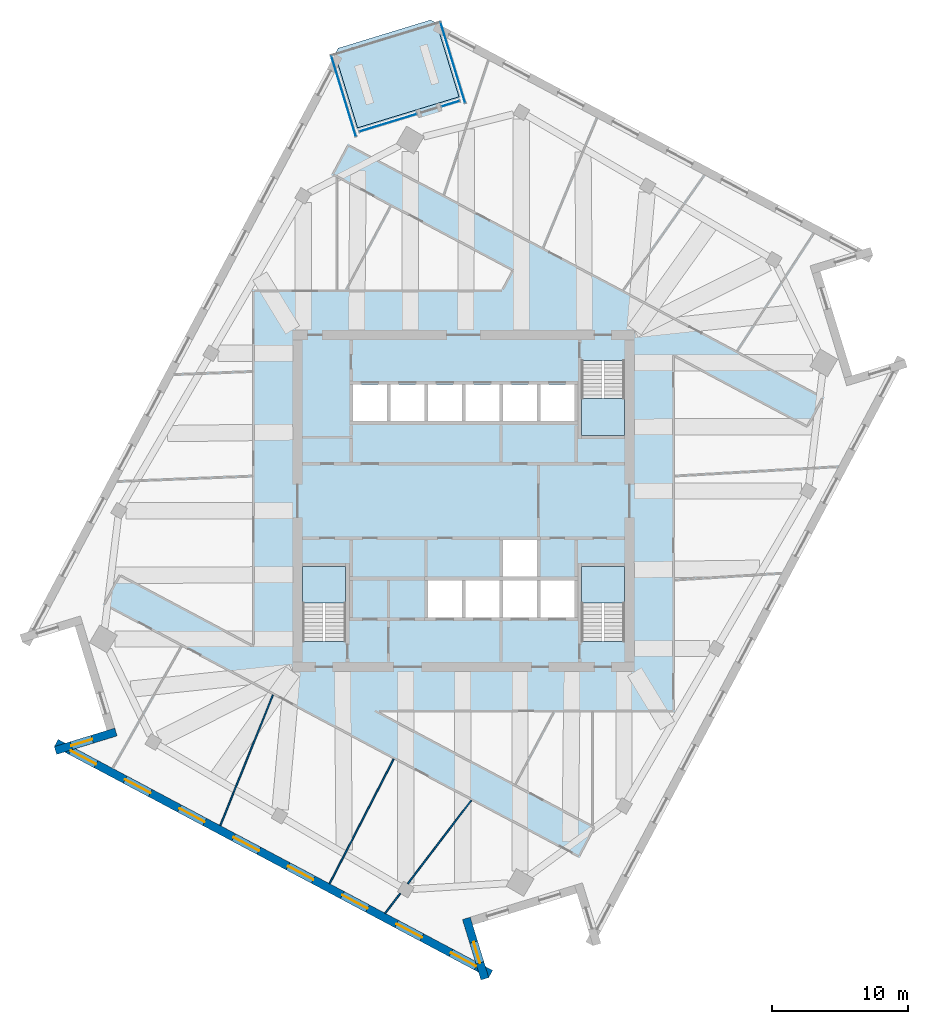
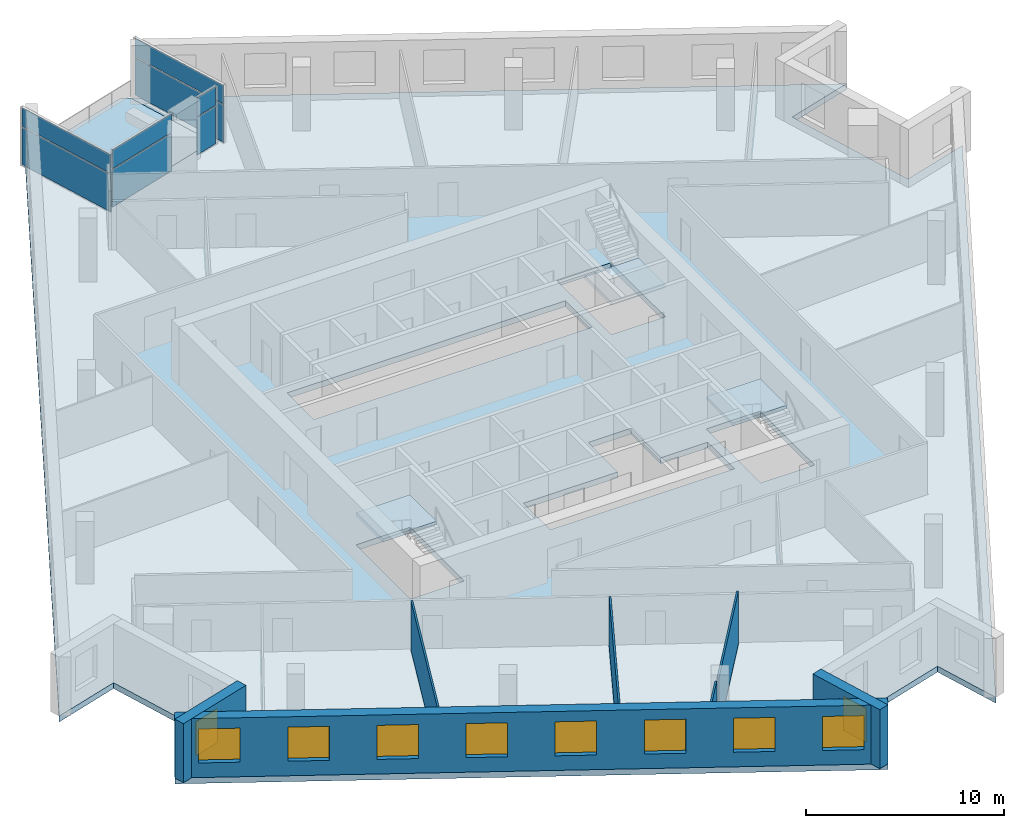
# One storey, part 5 of 13: 10 windows, 8 plates, 7 walls, 5 slabs, 10 openings, 7 elements without a shape of their own.
"""IFC4 building model written with IfcOpenShell, lengths in metres."""

from ifc_helpers import new_model, si_unit, direction, frame, frame_2d, origin, origin_2d, place, context, subcontext, project, spatial, polyline, rectangle, outline, extrude, material, layer, layer_set, type_object, element, fill, aggregate, save


model = new_model("IFC4")

# Units and contexts
model_context = context("Model", 3, precision=1e-05, world=origin(), true_north=direction((0.0, 1.0)))
body_context = subcontext(model_context, "Body", "Model", "MODEL_VIEW")
ifc_project = project(units=[si_unit("LENGTHUNIT", "METRE"), si_unit("AREAUNIT", "SQUARE_METRE"), si_unit("VOLUMEUNIT", "CUBIC_METRE"), si_unit("PLANEANGLEUNIT", "RADIAN"), si_unit("MASSUNIT", "GRAM", prefix="KILO")], contexts=[model_context])

# Site, building, storey
site_placement = place(None, origin())
site = spatial("IfcSite", under=ifc_project, at=site_placement, CompositionType="ELEMENT")
building_placement = place(site_placement, origin())
building = spatial("IfcBuilding", under=site, at=building_placement, Name="Dilmun Exchange Tower", CompositionType="ELEMENT")
storey_placement = place(building_placement, frame((0.0, 0.0, 278.89990234375)))
storey = spatial("IfcBuildingStorey", under=building, at=storey_placement, Name="L66", CompositionType="ELEMENT", Elevation=278.89990234375)

# Stair, slab
ifc_material_1 = material(Name="Concrete C40/50", Category="concrete")
stair_type = type_object("IfcStairType", Name="Exit stair 1500 half-turn", PredefinedType="HALF_TURN_STAIR", material=ifc_material_1)
stair_1_placement = place(storey_placement, origin())
stair_1 = element("IfcStair", 1, at=stair_1_placement, inside=storey, type_object=stair_type, Name="L66 Protected exit stair ST1", PredefinedType="HALF_TURN_STAIR")
ifc_layer_1 = layer(ifc_material_1, 0.199951171875)
ifc_layer_set_1 = layer_set([ifc_layer_1], Name="Concrete C40/50")
slab_type_1 = type_object("IfcSlabType", Name="Exit stair landing 200", PredefinedType="LANDING", material=ifc_layer_set_1)
slab_1_placement = place(storey_placement, frame((0.0, 0.0, 1.800048828125)))
slab_1 = element("IfcSlab", 2, at=slab_1_placement, type_object=slab_type_1, Name="ST1 landing 1", PredefinedType="LANDING", context=body_context, shape_type="SweptSolid", body=[
    extrude(outline(polyline([(8.64990234375, 7.5), (8.64990234375, 4.800048828125), (11.800048828125, 4.800048828125), (11.800048828125, 7.5), (8.64990234375, 7.5)])), origin(), (0.0, 0.0, 1.0), 0.199951171875),
])
aggregate(stair_1, [slab_1])

stair_2_placement = place(storey_placement, origin())
stair_2 = element("IfcStair", 3, at=stair_2_placement, inside=storey, type_object=stair_type, Name="L66 Protected exit stair ST2", PredefinedType="HALF_TURN_STAIR")
slab_2_placement = place(storey_placement, frame((0.0, 0.0, 1.800048828125)))
slab_2 = element("IfcSlab", 4, at=slab_2_placement, type_object=slab_type_1, Name="ST2 landing 1", PredefinedType="LANDING", context=body_context, shape_type="SweptSolid", body=[
    extrude(outline(polyline([(-8.64990234375, -7.5), (-8.64990234375, -4.800048828125), (-11.800048828125, -4.800048828125), (-11.800048828125, -7.5), (-8.64990234375, -7.5)])), origin(), (0.0, 0.0, 1.0), 0.199951171875),
])
aggregate(stair_2, [slab_2])

stair_3_placement = place(storey_placement, origin())
stair_3 = element("IfcStair", 5, at=stair_3_placement, inside=storey, type_object=stair_type, Name="L66 Protected exit stair ST3", PredefinedType="HALF_TURN_STAIR")
slab_3_placement = place(storey_placement, frame((0.0, 0.0, 1.800048828125)))
slab_3 = element("IfcSlab", 6, at=slab_3_placement, type_object=slab_type_1, Name="ST3 landing 1", PredefinedType="LANDING", context=body_context, shape_type="SweptSolid", body=[
    extrude(outline(polyline([(11.800048828125, -7.5), (11.800048828125, -4.800048828125), (8.64990234375, -4.800048828125), (8.64990234375, -7.5), (11.800048828125, -7.5)])), origin(), (0.0, 0.0, 1.0), 0.199951171875),
])
aggregate(stair_3, [slab_3])

# Curtain wall, plates
ifc_material_2 = material(Name="Anodised aluminium and clear glass", Category="aluminium")
curtain_wall_type = type_object("IfcCurtainWallType", Name="Garden corner glazing", PredefinedType="NOTDEFINED", material=ifc_material_2)
curtain_wall_1_placement = place(storey_placement, origin())
curtain_wall_1 = element("IfcCurtainWall", 7, at=curtain_wall_1_placement, inside=storey, type_object=curtain_wall_type, Name="Garden corner glazing run GC1.1", PredefinedType="NOTDEFINED")
ifc_material_3 = material(Name="Clear glass", Category="glass")
ifc_layer_2 = layer(ifc_material_3, 0.028076171875)
ifc_layer_set_2 = layer_set([ifc_layer_2], Name="Clear glass")
plate_type = type_object("IfcPlateType", Name="Garden corner glazing glass panel 28", PredefinedType="CURTAIN_PANEL", material=ifc_layer_set_2)
plate_1_placement = place(storey_placement, frame((-0.785400390625, 32.1337890625, 0.06005859375), z_axis=(0.0, 0.0, 1.0), x_axis=(0.292374306997, -0.956303960364, 0.0)))
plate_1 = element("IfcPlate", 8, at=plate_1_placement, type_object=plate_type, Name="GC1.1 panel 1.1", PredefinedType="CURTAIN_PANEL", context=body_context, shape_type="SweptSolid", body=[
    extrude(rectangle(XDim=6.12646484375, YDim=0.028076171875, at=origin_2d()), origin(), (0.0, 0.0, 1.0), 2.31005859375),
])
plate_2_placement = place(storey_placement, frame((-0.785400390625, 32.1337890625, 2.43017578125), z_axis=(0.0, 0.0, 1.0), x_axis=(0.292374306997, -0.956303960364, 0.0)))
plate_2 = element("IfcPlate", 9, at=plate_2_placement, type_object=plate_type, Name="GC1.1 panel 1.2", PredefinedType="CURTAIN_PANEL", context=body_context, shape_type="SweptSolid", body=[
    extrude(rectangle(XDim=6.12646484375, YDim=0.028076171875, at=origin_2d()), origin(), (0.0, 0.0, 1.0), 1.14990234375),
])
aggregate(curtain_wall_1, [plate_1, plate_2])

curtain_wall_2_placement = place(storey_placement, origin())
curtain_wall_2 = element("IfcCurtainWall", 10, at=curtain_wall_2_placement, inside=storey, type_object=curtain_wall_type, Name="Garden corner glazing run GC2.1", PredefinedType="NOTDEFINED")
plate_3_placement = place(storey_placement, frame((-0.958984375, 29.12841796875, 0.06005859375), z_axis=(0.0, 0.0, 1.0), x_axis=(-0.956297337133, -0.29239596952, 0.0)))
plate_3 = element("IfcPlate", 11, at=plate_3_placement, type_object=plate_type, Name="GC2.1 panel 1.1", PredefinedType="CURTAIN_PANEL", context=body_context, shape_type="SweptSolid", body=[
    extrude(rectangle(XDim=1.369140625, YDim=0.028076171875, at=origin_2d()), origin(), (0.0, 0.0, 1.0), 2.31005859375),
])
plate_4_placement = place(storey_placement, frame((-0.958984375, 29.12841796875, 2.43017578125), z_axis=(0.0, 0.0, 1.0), x_axis=(-0.956297337133, -0.29239596952, 0.0)))
plate_4 = element("IfcPlate", 12, at=plate_4_placement, type_object=plate_type, Name="GC2.1 panel 1.2", PredefinedType="CURTAIN_PANEL", context=body_context, shape_type="SweptSolid", body=[
    extrude(rectangle(XDim=1.369140625, YDim=0.028076171875, at=origin_2d()), origin(), (0.0, 0.0, 1.0), 1.14990234375),
])
aggregate(curtain_wall_2, [plate_3, plate_4])

curtain_wall_3_placement = place(storey_placement, origin())
curtain_wall_3 = element("IfcCurtainWall", 13, at=curtain_wall_3_placement, inside=storey, type_object=curtain_wall_type, Name="Garden corner glazing run GC2.3", PredefinedType="NOTDEFINED")
plate_5_placement = place(storey_placement, frame((-5.538818359375, 27.728271484375, 0.06005859375), z_axis=(0.0, 0.0, 1.0), x_axis=(-0.956302964809, -0.292377563258, 0.0)))
plate_5 = element("IfcPlate", 14, at=plate_5_placement, type_object=plate_type, Name="GC2.3 panel 1.1", PredefinedType="CURTAIN_PANEL", context=body_context, shape_type="SweptSolid", body=[
    extrude(rectangle(XDim=4.369140625, YDim=0.028076171875, at=origin_2d()), origin(), (0.0, 0.0, 1.0), 2.31005859375),
])
plate_6_placement = place(storey_placement, frame((-5.538818359375, 27.728271484375, 2.43017578125), z_axis=(0.0, 0.0, 1.0), x_axis=(-0.956302964809, -0.292377563258, 0.0)))
plate_6 = element("IfcPlate", 15, at=plate_6_placement, type_object=plate_type, Name="GC2.3 panel 1.2", PredefinedType="CURTAIN_PANEL", context=body_context, shape_type="SweptSolid", body=[
    extrude(rectangle(XDim=4.369140625, YDim=0.028076171875, at=origin_2d()), origin(), (0.0, 0.0, 1.0), 1.14990234375),
])
aggregate(curtain_wall_3, [plate_5, plate_6])

curtain_wall_4_placement = place(storey_placement, origin())
curtain_wall_4 = element("IfcCurtainWall", 16, at=curtain_wall_4_placement, inside=storey, type_object=curtain_wall_type, Name="Garden corner glazing run GC3.1", PredefinedType="NOTDEFINED")
plate_7_placement = place(storey_placement, frame((-8.797607421875, 29.684326171875, 0.06005859375), z_axis=(0.0, 0.0, 1.0), x_axis=(-0.292374306997, 0.956303960364, 0.0)))
plate_7 = element("IfcPlate", 17, at=plate_7_placement, type_object=plate_type, Name="GC3.1 panel 1.1", PredefinedType="CURTAIN_PANEL", context=body_context, shape_type="SweptSolid", body=[
    extrude(rectangle(XDim=6.12646484375, YDim=0.028076171875, at=origin_2d()), origin(), (0.0, 0.0, 1.0), 2.31005859375),
])
plate_8_placement = place(storey_placement, frame((-8.797607421875, 29.684326171875, 2.43017578125), z_axis=(0.0, 0.0, 1.0), x_axis=(-0.292374306997, 0.956303960364, 0.0)))
plate_8 = element("IfcPlate", 18, at=plate_8_placement, type_object=plate_type, Name="GC3.1 panel 1.2", PredefinedType="CURTAIN_PANEL", context=body_context, shape_type="SweptSolid", body=[
    extrude(rectangle(XDim=6.12646484375, YDim=0.028076171875, at=origin_2d()), origin(), (0.0, 0.0, 1.0), 1.14990234375),
])
aggregate(curtain_wall_4, [plate_7, plate_8])

# Slabs
ifc_layer_3 = layer(ifc_material_1, 0.360107421875)
ifc_layer_set_3 = layer_set([ifc_layer_3], Name="Concrete C40/50")
slab_type_2 = type_object("IfcSlabType", Name="RC floor slab 360", PredefinedType="FLOOR", material=ifc_layer_set_3)
slab_4_placement = place(storey_placement, frame((0.0, 0.0, -0.35986328125)))
element("IfcSlab", 19, at=slab_4_placement, inside=storey, type_object=slab_type_2, Name="Floor slab", PredefinedType="FLOOR", context=body_context, shape_type="SweptSolid", body=[
    extrude(outline(polyline([(26.156005859375, 16.837890625), (28.4951171875, 9.1875), (32.354248046875, 10.3671875), (9.497314453125, -32.6201171875), (8.317626953125, -28.760986328125), (0.6669921875, -31.10009765625), (1.846923828125, -34.959228515625), (-30.015380859375, -18.017578125), (-26.156005859375, -16.837890625), (-28.4951171875, -9.1875), (-32.354248046875, -10.3671875), (-9.423828125, 32.7587890625), (-7.77294921875, 27.35888671875), (-0.334716796875, 29.633056640625), (-1.985595703125, 35.03271484375), (30.015380859375, 18.017578125), (26.156005859375, 16.837890625)]), holes=[polyline([(-8.64990234375, -4.800048828125), (-11.800048828125, -4.800048828125), (-11.800048828125, -10.294921875), (-8.64990234375, -10.294921875), (-8.64990234375, -4.800048828125)]), polyline([(11.800048828125, -4.800048828125), (8.64990234375, -4.800048828125), (8.64990234375, -10.294921875), (11.800048828125, -10.294921875), (11.800048828125, -4.800048828125)]), polyline([(2.875, -5.85009765625), (-2.625, -5.85009765625), (-2.625, -8.550048828125), (8.125, -8.550048828125), (8.125, -5.85009765625), (5.375, -5.85009765625), (5.375, -2.85009765625), (2.875, -2.85009765625), (2.875, -5.85009765625)]), polyline([(8.125, 5.85009765625), (8.125, 8.550048828125), (-8.125, 8.550048828125), (-8.125, 5.85009765625), (8.125, 5.85009765625)]), polyline([(8.64990234375, 10.294921875), (8.64990234375, 4.800048828125), (11.800048828125, 4.800048828125), (11.800048828125, 10.294921875), (8.64990234375, 10.294921875)])]), origin(), (0.0, 0.0, 1.0), 0.35986328125),
])
ifc_layer_4 = layer(ifc_material_1, 0.300048828125)
ifc_layer_set_4 = layer_set([ifc_layer_4], Name="Concrete C40/50")
slab_type_3 = type_object("IfcSlabType", Name="RC garden terrace slab 300", PredefinedType="FLOOR", material=ifc_layer_set_4)
slab_5_placement = place(storey_placement, frame((0.0, 0.0, -0.2998046875)))
element("IfcSlab", 20, at=slab_5_placement, inside=storey, type_object=slab_type_3, Name="Garden terrace slab", PredefinedType="FLOOR", context=body_context, shape_type="SweptSolid", body=[
    extrude(outline(polyline([(-7.77294921875, 27.35888671875), (-9.423828125, 32.7587890625), (-9.189208984375, 33.2001953125), (-2.427001953125, 35.267578125), (-1.985595703125, 35.03271484375), (-0.334716796875, 29.633056640625), (-7.77294921875, 27.35888671875)])), origin(), (0.0, 0.0, 1.0), 0.2998046875),
])

# Walls
ifc_material_4 = material(Name="Partition 100")
ifc_layer_5 = layer(ifc_material_4, 0.10009765625)
ifc_layer_set_5 = layer_set([ifc_layer_5], Name="Partition 100")
wall_type_1 = type_object("IfcWallType", Name="Partition 100", PredefinedType="PARTITIONING", material=ifc_layer_set_5)
wall_1_placement = place(storey_placement, frame((-17.840087890625, -23.8095703125, 0.0), z_axis=(0.0, 0.0, 1.0), x_axis=(0.373322071297, 0.927701800732, 0.0)))
element("IfcWall", 21, at=wall_1_placement, inside=storey, type_object=wall_type_1, Name="Partition", PredefinedType="PARTITIONING", context=body_context, shape_type="SweptSolid", body=[
    extrude(rectangle(XDim=10.326171875, YDim=0.10009765625, at=frame_2d((5.1630859375, 0.0))), origin(), (0.0, 0.0, 1.0), 3.0400390625),
])
wall_2_placement = place(storey_placement, frame((-9.82568359375, -28.07080078125, 0.0), z_axis=(0.0, 0.0, 1.0), x_axis=(0.457289483917, 0.889317900359, 0.0)))
element("IfcWall", 22, at=wall_2_placement, inside=storey, type_object=wall_type_1, Name="Partition", PredefinedType="PARTITIONING", context=body_context, shape_type="SweptSolid", body=[
    extrude(rectangle(XDim=10.273681640625, YDim=0.10009765625, at=frame_2d((5.13671875, 0.0))), origin(), (0.0, 0.0, 1.0), 3.0400390625),
])
wall_3_placement = place(storey_placement, frame((-5.75, -30.238037109375, 0.0), z_axis=(0.0, 0.0, 1.0), x_axis=(0.60662872898, 0.794985273559, 0.0)))
element("IfcWall", 23, at=wall_3_placement, inside=storey, type_object=wall_type_1, Name="Partition", PredefinedType="PARTITIONING", context=body_context, shape_type="SweptSolid", body=[
    extrude(rectangle(XDim=1.821044921875, YDim=0.10009765625, at=frame_2d((0.91064453125, 0.0))), origin(), (0.0, 0.0, 1.0), 3.64013671875),
])
wall_4_placement = place(storey_placement, frame((-4.09521484375, -28.069580078125, 0.0), z_axis=(0.0, 0.0, 1.0), x_axis=(0.606675434914, 0.794949631532, 0.0)))
element("IfcWall", 24, at=wall_4_placement, inside=storey, type_object=wall_type_1, Name="Partition", PredefinedType="PARTITIONING", context=body_context, shape_type="SweptSolid", body=[
    extrude(rectangle(XDim=7.6767578125, YDim=0.10009765625, at=frame_2d((3.83837890625, 0.0))), origin(), (0.0, 0.0, 1.0), 3.239990234375),
])

# Wall, opening, window
ifc_material_5 = material(Name="Precast concrete C50/60", Category="concrete")
ifc_layer_6 = layer(ifc_material_5, 0.60009765625)
ifc_layer_set_6 = layer_set([ifc_layer_6], Name="Precast concrete C50/60")
wall_type_2 = type_object("IfcWallType", Name="Precast stone-clad wall 600", PredefinedType="STANDARD", material=ifc_layer_set_6)
wall_5_placement = place(storey_placement, frame((-25.49462890625, -16.94921875, 0.0), z_axis=(0.0, 0.0, 1.0), x_axis=(-0.956292267386, -0.292412549899, 0.0)))
wall_5 = element("IfcWall", 25, at=wall_5_placement, inside=storey, type_object=wall_type_2, Name="Facade wall L66-06", PredefinedType="STANDARD", context=body_context, shape_type="SweptSolid", body=[
    extrude(rectangle(XDim=4.635498046875, YDim=0.60009765625, at=frame_2d((2.31787109375, 0.0))), origin(), (0.0, 0.0, 1.0), 3.64013671875),
])
opening_1_placement = place(wall_5_placement, frame((1.81787109375, 0.0, 0.89990234375)))
opening_1 = element("IfcOpeningElement", 26, at=opening_1_placement, cuts=wall_5, Name="Opening W160-210", PredefinedType="OPENING", context=body_context, shape_type="SweptSolid", body=[
    extrude(rectangle(XDim=1.60009765625, YDim=2.10009765625, at=frame_2d((0.800048828125, 1.050048828125))), frame((0.0, 0.31005859375, 0.0), z_axis=(0.0, -1.0, 0.0), x_axis=(1.0, 0.0, 0.0)), (0.0, 0.0, 1.0), 0.6201171875),
])
ifc_material_6 = material(Name="Clear low-emissivity glass in aluminium frame", Category="aluminium")
window_type_1 = type_object("IfcWindowType", Name="Punched window 1600 x 2100", PartitioningType="DOUBLE_PANEL_VERTICAL", PredefinedType="WINDOW", material=ifc_material_6)
window_1_placement = place(opening_1_placement, origin())
window_1 = element("IfcWindow", 27, at=window_1_placement, inside=storey, type_object=window_type_1, Name="Window 7.1", OverallHeight=2.10009765625, OverallWidth=1.60009765625, PartitioningType="SINGLE_PANEL", PredefinedType="WINDOW", context=body_context, shape_type="SweptSolid", body=[
    extrude(rectangle(XDim=1.60009765625, YDim=2.10009765625, at=frame_2d((0.800048828125, 1.050048828125))), frame((0.0, 0.030029296875, 0.0), z_axis=(0.0, -1.0, 0.0), x_axis=(1.0, 0.0, 0.0)), (0.0, 0.0, 1.0), 0.06005859375),
])
fill(opening_1, window_1)

# Wall, openings, windows
wall_6_placement = place(storey_placement, frame((-29.87451171875, -17.752685546875, 0.0), z_axis=(0.0, 0.0, 1.0), x_axis=(0.882945726539, -0.469475072806, 0.0)))
wall_6 = element("IfcWall", 28, at=wall_6_placement, inside=storey, type_object=wall_type_2, Name="Facade wall L66-07", PredefinedType="STANDARD", context=body_context, shape_type="SweptSolid", body=[
    extrude(rectangle(XDim=36.08642578125, YDim=0.60009765625, at=frame_2d((18.043212890625, 0.0))), origin(), (0.0, 0.0, 1.0), 3.64013671875),
])
opening_2_placement = place(wall_6_placement, frame((1.205322265625, 0.0, 0.89990234375)))
opening_2 = element("IfcOpeningElement", 29, at=opening_2_placement, cuts=wall_6, Name="Opening W210-210", PredefinedType="OPENING", context=body_context, shape_type="SweptSolid", body=[
    extrude(rectangle(XDim=2.10009765625, YDim=2.10009765625, at=frame_2d((1.050048828125, 1.050048828125))), frame((0.0, 0.31005859375, 0.0), z_axis=(0.0, -1.0, 0.0), x_axis=(1.0, 0.0, 0.0)), (0.0, 0.0, 1.0), 0.6201171875),
])
opening_3_placement = place(wall_6_placement, frame((5.71630859375, 0.0, 0.89990234375)))
opening_3 = element("IfcOpeningElement", 30, at=opening_3_placement, cuts=wall_6, Name="Opening W210-210", PredefinedType="OPENING", context=body_context, shape_type="SweptSolid", body=[
    extrude(rectangle(XDim=2.10009765625, YDim=2.10009765625, at=frame_2d((1.050048828125, 1.050048828125))), frame((0.0, 0.31005859375, 0.0), z_axis=(0.0, -1.0, 0.0), x_axis=(1.0, 0.0, 0.0)), (0.0, 0.0, 1.0), 0.6201171875),
])
opening_4_placement = place(wall_6_placement, frame((10.22705078125, 0.0, 0.89990234375)))
opening_4 = element("IfcOpeningElement", 31, at=opening_4_placement, cuts=wall_6, Name="Opening W210-210", PredefinedType="OPENING", context=body_context, shape_type="SweptSolid", body=[
    extrude(rectangle(XDim=2.10009765625, YDim=2.10009765625, at=frame_2d((1.050048828125, 1.050048828125))), frame((0.0, 0.31005859375, 0.0), z_axis=(0.0, -1.0, 0.0), x_axis=(1.0, 0.0, 0.0)), (0.0, 0.0, 1.0), 0.6201171875),
])
opening_5_placement = place(wall_6_placement, frame((14.73779296875, 0.0, 0.89990234375)))
opening_5 = element("IfcOpeningElement", 32, at=opening_5_placement, cuts=wall_6, Name="Opening W210-210", PredefinedType="OPENING", context=body_context, shape_type="SweptSolid", body=[
    extrude(rectangle(XDim=2.10009765625, YDim=2.10009765625, at=frame_2d((1.050048828125, 1.050048828125))), frame((0.0, 0.31005859375, 0.0), z_axis=(0.0, -1.0, 0.0), x_axis=(1.0, 0.0, 0.0)), (0.0, 0.0, 1.0), 0.6201171875),
])
opening_6_placement = place(wall_6_placement, frame((19.24853515625, 0.0, 0.89990234375)))
opening_6 = element("IfcOpeningElement", 33, at=opening_6_placement, cuts=wall_6, Name="Opening W210-210", PredefinedType="OPENING", context=body_context, shape_type="SweptSolid", body=[
    extrude(rectangle(XDim=2.10009765625, YDim=2.10009765625, at=frame_2d((1.050048828125, 1.050048828125))), frame((0.0, 0.31005859375, 0.0), z_axis=(0.0, -1.0, 0.0), x_axis=(1.0, 0.0, 0.0)), (0.0, 0.0, 1.0), 0.6201171875),
])
opening_7_placement = place(wall_6_placement, frame((23.75927734375, 0.0, 0.89990234375)))
opening_7 = element("IfcOpeningElement", 34, at=opening_7_placement, cuts=wall_6, Name="Opening W210-210", PredefinedType="OPENING", context=body_context, shape_type="SweptSolid", body=[
    extrude(rectangle(XDim=2.10009765625, YDim=2.10009765625, at=frame_2d((1.050048828125, 1.050048828125))), frame((0.0, 0.31005859375, 0.0), z_axis=(0.0, -1.0, 0.0), x_axis=(1.0, 0.0, 0.0)), (0.0, 0.0, 1.0), 0.6201171875),
])
opening_8_placement = place(wall_6_placement, frame((28.27001953125, 0.0, 0.89990234375)))
opening_8 = element("IfcOpeningElement", 35, at=opening_8_placement, cuts=wall_6, Name="Opening W210-210", PredefinedType="OPENING", context=body_context, shape_type="SweptSolid", body=[
    extrude(rectangle(XDim=2.10009765625, YDim=2.10009765625, at=frame_2d((1.050048828125, 1.050048828125))), frame((0.0, 0.31005859375, 0.0), z_axis=(0.0, -1.0, 0.0), x_axis=(1.0, 0.0, 0.0)), (0.0, 0.0, 1.0), 0.6201171875),
])
opening_9_placement = place(wall_6_placement, frame((32.781005859375, 0.0, 0.89990234375)))
opening_9 = element("IfcOpeningElement", 36, at=opening_9_placement, cuts=wall_6, Name="Opening W210-210", PredefinedType="OPENING", context=body_context, shape_type="SweptSolid", body=[
    extrude(rectangle(XDim=2.10009765625, YDim=2.10009765625, at=frame_2d((1.050048828125, 1.050048828125))), frame((0.0, 0.31005859375, 0.0), z_axis=(0.0, -1.0, 0.0), x_axis=(1.0, 0.0, 0.0)), (0.0, 0.0, 1.0), 0.6201171875),
])
window_type_2 = type_object("IfcWindowType", Name="Punched window 2100 x 2100", PartitioningType="DOUBLE_PANEL_VERTICAL", PredefinedType="WINDOW", material=ifc_material_6)
window_2_placement = place(opening_2_placement, origin())
window_2 = element("IfcWindow", 37, at=window_2_placement, inside=storey, type_object=window_type_2, Name="Window 8.1", OverallHeight=2.10009765625, OverallWidth=2.10009765625, PartitioningType="SINGLE_PANEL", PredefinedType="WINDOW", context=body_context, shape_type="SweptSolid", body=[
    extrude(rectangle(XDim=2.10009765625, YDim=2.10009765625, at=frame_2d((1.050048828125, 1.050048828125))), frame((0.0, 0.030029296875, 0.0), z_axis=(0.0, -1.0, 0.0), x_axis=(1.0, 0.0, 0.0)), (0.0, 0.0, 1.0), 0.06005859375),
])
fill(opening_2, window_2)
window_3_placement = place(opening_3_placement, origin())
window_3 = element("IfcWindow", 38, at=window_3_placement, inside=storey, type_object=window_type_2, Name="Window 8.2", OverallHeight=2.10009765625, OverallWidth=2.10009765625, PartitioningType="SINGLE_PANEL", PredefinedType="WINDOW", context=body_context, shape_type="SweptSolid", body=[
    extrude(rectangle(XDim=2.10009765625, YDim=2.10009765625, at=frame_2d((1.050048828125, 1.050048828125))), frame((0.0, 0.030029296875, 0.0), z_axis=(0.0, -1.0, 0.0), x_axis=(1.0, 0.0, 0.0)), (0.0, 0.0, 1.0), 0.06005859375),
])
fill(opening_3, window_3)
window_4_placement = place(opening_4_placement, origin())
window_4 = element("IfcWindow", 39, at=window_4_placement, inside=storey, type_object=window_type_2, Name="Window 8.3", OverallHeight=2.10009765625, OverallWidth=2.10009765625, PartitioningType="SINGLE_PANEL", PredefinedType="WINDOW", context=body_context, shape_type="SweptSolid", body=[
    extrude(rectangle(XDim=2.10009765625, YDim=2.10009765625, at=frame_2d((1.050048828125, 1.050048828125))), frame((0.0, 0.030029296875, 0.0), z_axis=(0.0, -1.0, 0.0), x_axis=(1.0, 0.0, 0.0)), (0.0, 0.0, 1.0), 0.06005859375),
])
fill(opening_4, window_4)
window_5_placement = place(opening_5_placement, origin())
window_5 = element("IfcWindow", 40, at=window_5_placement, inside=storey, type_object=window_type_2, Name="Window 8.4", OverallHeight=2.10009765625, OverallWidth=2.10009765625, PartitioningType="SINGLE_PANEL", PredefinedType="WINDOW", context=body_context, shape_type="SweptSolid", body=[
    extrude(rectangle(XDim=2.10009765625, YDim=2.10009765625, at=frame_2d((1.050048828125, 1.050048828125))), frame((0.0, 0.030029296875, 0.0), z_axis=(0.0, -1.0, 0.0), x_axis=(1.0, 0.0, 0.0)), (0.0, 0.0, 1.0), 0.06005859375),
])
fill(opening_5, window_5)
window_6_placement = place(opening_6_placement, origin())
window_6 = element("IfcWindow", 41, at=window_6_placement, inside=storey, type_object=window_type_2, Name="Window 8.5", OverallHeight=2.10009765625, OverallWidth=2.10009765625, PartitioningType="SINGLE_PANEL", PredefinedType="WINDOW", context=body_context, shape_type="SweptSolid", body=[
    extrude(rectangle(XDim=2.10009765625, YDim=2.10009765625, at=frame_2d((1.050048828125, 1.050048828125))), frame((0.0, 0.030029296875, 0.0), z_axis=(0.0, -1.0, 0.0), x_axis=(1.0, 0.0, 0.0)), (0.0, 0.0, 1.0), 0.06005859375),
])
fill(opening_6, window_6)
window_7_placement = place(opening_7_placement, origin())
window_7 = element("IfcWindow", 42, at=window_7_placement, inside=storey, type_object=window_type_2, Name="Window 8.6", OverallHeight=2.10009765625, OverallWidth=2.10009765625, PartitioningType="SINGLE_PANEL", PredefinedType="WINDOW", context=body_context, shape_type="SweptSolid", body=[
    extrude(rectangle(XDim=2.10009765625, YDim=2.10009765625, at=frame_2d((1.050048828125, 1.050048828125))), frame((0.0, 0.030029296875, 0.0), z_axis=(0.0, -1.0, 0.0), x_axis=(1.0, 0.0, 0.0)), (0.0, 0.0, 1.0), 0.06005859375),
])
fill(opening_7, window_7)
window_8_placement = place(opening_8_placement, origin())
window_8 = element("IfcWindow", 43, at=window_8_placement, inside=storey, type_object=window_type_2, Name="Window 8.7", OverallHeight=2.10009765625, OverallWidth=2.10009765625, PartitioningType="SINGLE_PANEL", PredefinedType="WINDOW", context=body_context, shape_type="SweptSolid", body=[
    extrude(rectangle(XDim=2.10009765625, YDim=2.10009765625, at=frame_2d((1.050048828125, 1.050048828125))), frame((0.0, 0.030029296875, 0.0), z_axis=(0.0, -1.0, 0.0), x_axis=(1.0, 0.0, 0.0)), (0.0, 0.0, 1.0), 0.06005859375),
])
fill(opening_8, window_8)
window_9_placement = place(opening_9_placement, origin())
window_9 = element("IfcWindow", 44, at=window_9_placement, inside=storey, type_object=window_type_2, Name="Window 8.8", OverallHeight=2.10009765625, OverallWidth=2.10009765625, PartitioningType="SINGLE_PANEL", PredefinedType="WINDOW", context=body_context, shape_type="SweptSolid", body=[
    extrude(rectangle(XDim=2.10009765625, YDim=2.10009765625, at=frame_2d((1.050048828125, 1.050048828125))), frame((0.0, 0.030029296875, 0.0), z_axis=(0.0, -1.0, 0.0), x_axis=(1.0, 0.0, 0.0)), (0.0, 0.0, 1.0), 0.06005859375),
])
fill(opening_9, window_9)

# Wall, opening, window
wall_7_placement = place(storey_placement, frame((1.56005859375, -35.046875, 0.0), z_axis=(0.0, 0.0, 1.0), x_axis=(-0.2923643842, 0.956306994041, 0.0)))
wall_7 = element("IfcWall", 45, at=wall_7_placement, inside=storey, type_object=wall_type_2, Name="Facade wall L66-08", PredefinedType="STANDARD", context=body_context, shape_type="SweptSolid", body=[
    extrude(rectangle(XDim=4.635498046875, YDim=0.60009765625, at=frame_2d((2.31787109375, 0.0))), origin(), (0.0, 0.0, 1.0), 3.64013671875),
])
opening_10_placement = place(wall_7_placement, frame((1.2177734375, 0.0, 0.89990234375)))
opening_10 = element("IfcOpeningElement", 46, at=opening_10_placement, cuts=wall_7, Name="Opening W160-210", PredefinedType="OPENING", context=body_context, shape_type="SweptSolid", body=[
    extrude(rectangle(XDim=1.60009765625, YDim=2.10009765625, at=frame_2d((0.800048828125, 1.050048828125))), frame((0.0, 0.31005859375, 0.0), z_axis=(0.0, -1.0, 0.0), x_axis=(1.0, 0.0, 0.0)), (0.0, 0.0, 1.0), 0.6201171875),
])
window_10_placement = place(opening_10_placement, origin())
window_10 = element("IfcWindow", 47, at=window_10_placement, inside=storey, type_object=window_type_1, Name="Window 9.1", OverallHeight=2.10009765625, OverallWidth=1.60009765625, PartitioningType="SINGLE_PANEL", PredefinedType="WINDOW", context=body_context, shape_type="SweptSolid", body=[
    extrude(rectangle(XDim=1.60009765625, YDim=2.10009765625, at=frame_2d((0.800048828125, 1.050048828125))), frame((0.0, 0.030029296875, 0.0), z_axis=(0.0, -1.0, 0.0), x_axis=(1.0, 0.0, 0.0)), (0.0, 0.0, 1.0), 0.06005859375),
])
fill(opening_10, window_10)

save(model, "model.ifc")
